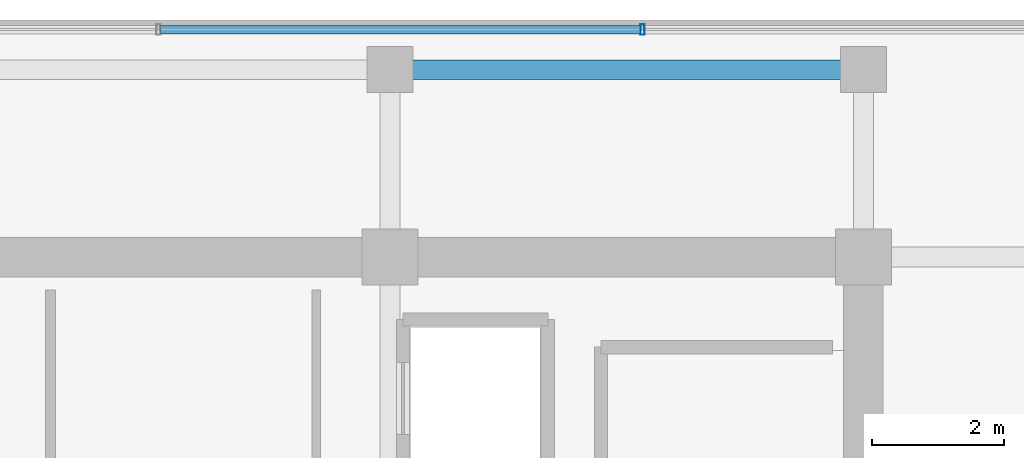
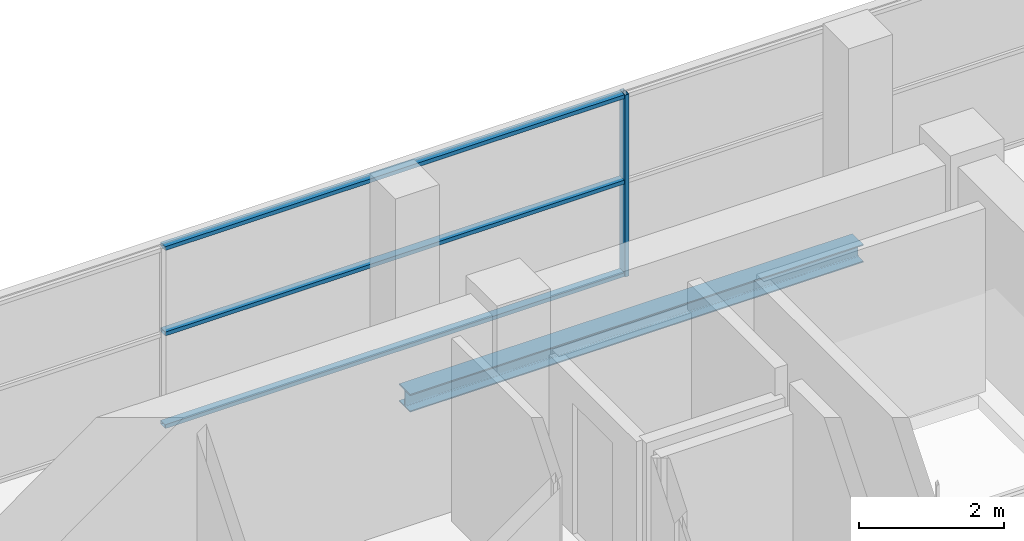
# One storey, part 19 of 28: 4 members, 1 beam, 1 element without a shape of its own.
"""IFC4 building model written with IfcOpenShell, lengths in metres."""

from ifc_helpers import new_model, si_unit, direction, frame, origin, origin_2d, place, context, subcontext, project, spatial, hollow_rectangle, i_section, extrude, source, transform, mapped, material, layer, layer_set, material_profile, profile_set, type_object, element, aggregate, save


model = new_model("IFC4")

# Units and contexts
model_context = context("Model", 3, precision=1e-05, world=origin(), true_north=direction((0.0, 1.0)))
body_context = subcontext(model_context, "Body", "Model", "MODEL_VIEW")
ifc_project = project(units=[si_unit("LENGTHUNIT", "METRE"), si_unit("AREAUNIT", "SQUARE_METRE"), si_unit("VOLUMEUNIT", "CUBIC_METRE"), si_unit("PLANEANGLEUNIT", "RADIAN"), si_unit("MASSUNIT", "GRAM", prefix="KILO")], contexts=[model_context])

# Site, building, storey
site_placement = place(None, origin())
site = spatial("IfcSite", under=ifc_project, at=site_placement, CompositionType="ELEMENT")
building_placement = place(site_placement, origin())
building = spatial("IfcBuilding", under=site, at=building_placement, Name="Zarnakvel Exchange Tower", CompositionType="ELEMENT")
storey_placement = place(building_placement, frame((0.0, 0.0, 261.699951171875)))
storey = spatial("IfcBuildingStorey", under=building, at=storey_placement, Name="L74", CompositionType="ELEMENT", Elevation=261.699951171875)

# Beam
ifc_material_1 = material(Name="Steel S355", Category="steel")
ifc_material_profile_1 = material_profile(ifc_material_1, i_section(OverallWidth=0.300048828125, OverallDepth=0.300048828125, WebThickness=0.010986328125, FlangeThickness=0.01904296875, FilletRadius=0.027099609375, at=origin_2d()))
ifc_profile_set_1 = profile_set([ifc_material_profile_1], Name="Steel S355")
beam_type = type_object("IfcBeamType", Name="SP-03", PredefinedType="SPANDREL", material=ifc_profile_set_1)
beam_placement = place(storey_placement, frame((7.199951171875, 16.35009765625, -0.375), z_axis=(1.0, 0.0, 0.0), x_axis=(0.0, 1.0, 0.0)))
element("IfcBeam", 1, at=beam_placement, inside=storey, type_object=beam_type, Name="L74 Tower E-W Frame Beam", PredefinedType="SPANDREL", context=body_context, shape_type="SweptSolid", body=[
    extrude(i_section(OverallWidth=0.300048828125, OverallDepth=0.300048828125, WebThickness=0.010986328125, FlangeThickness=0.01904296875, FilletRadius=0.027099609375, at=origin_2d()), origin(), (0.0, 0.0, 1.0), 7.199951171875),
])

# Curtain wall, members
ifc_material_2 = material(Name="Architectural Bronze Anodised Aluminium", Category="aluminium")
ifc_layer = layer(ifc_material_2, 0.159912109375)
ifc_layer_set = layer_set([ifc_layer], Name="Architectural Bronze Anodised Aluminium")
curtain_wall_type = type_object("IfcCurtainWallType", Name="CW-06", PredefinedType="NOTDEFINED", material=ifc_layer_set)
curtain_wall_placement = place(storey_placement, origin())
curtain_wall = element("IfcCurtainWall", 2, at=curtain_wall_placement, inside=storey, type_object=curtain_wall_type, Name="L74 Curtain Wall CW-L74-N1 (CW-06)", PredefinedType="NOTDEFINED")
ifc_material_profile_2 = material_profile(ifc_material_2, hollow_rectangle(XDim=0.1298828125, YDim=0.06494140625, WallThickness=0.00390625, at=origin_2d()))
ifc_profile_set_2 = profile_set([ifc_material_profile_2], Name="Architectural Bronze Anodised Aluminium")
member_type_1 = type_object("IfcMemberType", Name="CWT-06", PredefinedType="USERDEFINED", material=ifc_profile_set_2)
shared_shape_1 = source(origin(), body_context, "Body", "SweptSolid", [
    extrude(hollow_rectangle(XDim=0.1298828125, YDim=0.06494140625, WallThickness=0.00390625, at=origin_2d()), origin(), (0.0, 0.0, 1.0), 7.295166015625),
])
member_1_placement = place(storey_placement, frame((3.71240234375, 16.9599609375, 0.032470703125), z_axis=(1.0, 0.0, 0.0), x_axis=(0.0, 1.0, 0.0)))
member_1 = element("IfcMember", 3, at=member_1_placement, type_object=member_type_1, Name="CW-06 transom 4.1", ObjectType="TRANSOM", PredefinedType="USERDEFINED", context=body_context, shape_type="MappedRepresentation", body=[
    mapped(shared_shape_1, transform((0.0, 0.0, 0.0), x_axis=(1.0, 0.0, 0.0), y_axis=(0.0, 1.0, 0.0), z_axis=(0.0, 0.0, 1.0), scale=1.0)),
])
member_2_placement = place(storey_placement, frame((3.71240234375, 16.9599609375, 1.588623046875), z_axis=(1.0, 0.0, 0.0), x_axis=(0.0, 1.0, 0.0)))
member_2 = element("IfcMember", 4, at=member_2_placement, type_object=member_type_1, Name="CW-06 transom 4.2", ObjectType="TRANSOM", PredefinedType="USERDEFINED", context=body_context, shape_type="MappedRepresentation", body=[
    mapped(shared_shape_1, transform((0.0, 0.0, 0.0), x_axis=(1.0, 0.0, 0.0), y_axis=(0.0, 1.0, 0.0), z_axis=(0.0, 0.0, 1.0), scale=1.0)),
])
member_3_placement = place(storey_placement, frame((3.71240234375, 16.9599609375, 3.0224609375), z_axis=(1.0, 0.0, 0.0), x_axis=(0.0, 1.0, 0.0)))
member_3 = element("IfcMember", 5, at=member_3_placement, type_object=member_type_1, Name="CW-06 transom 4.3", ObjectType="TRANSOM", PredefinedType="USERDEFINED", context=body_context, shape_type="MappedRepresentation", body=[
    mapped(shared_shape_1, transform((0.0, 0.0, 0.0), x_axis=(1.0, 0.0, 0.0), y_axis=(0.0, 1.0, 0.0), z_axis=(0.0, 0.0, 1.0), scale=1.0)),
])
ifc_material_profile_3 = material_profile(ifc_material_2, hollow_rectangle(XDim=0.159912109375, YDim=0.06494140625, WallThickness=0.00390625, at=origin_2d()))
ifc_profile_set_3 = profile_set([ifc_material_profile_3], Name="Architectural Bronze Anodised Aluminium")
member_type_2 = type_object("IfcMemberType", Name="CWM-06", PredefinedType="MULLION", material=ifc_profile_set_3)
shared_shape_2 = source(origin(), body_context, "Body", "SweptSolid", [
    extrude(hollow_rectangle(XDim=0.159912109375, YDim=0.06494140625, WallThickness=0.00390625, at=origin_2d()), origin(), (0.0, 0.0, 1.0), 3.054931640625),
])
member_4_placement = place(storey_placement, frame((11.0400390625, 16.9599609375, 0.0), z_axis=(0.0, 0.0, 1.0), x_axis=(0.0, 1.0, 0.0)))
member_4 = element("IfcMember", 6, at=member_4_placement, type_object=member_type_2, Name="CW-06 mullion 5", PredefinedType="MULLION", context=body_context, shape_type="MappedRepresentation", body=[
    mapped(shared_shape_2, transform((0.0, 0.0, 0.0), x_axis=(1.0, 0.0, 0.0), y_axis=(0.0, 1.0, 0.0), z_axis=(0.0, 0.0, 1.0), scale=1.0)),
])
aggregate(curtain_wall, [member_4, member_1, member_2, member_3])

save(model, "model.ifc")
